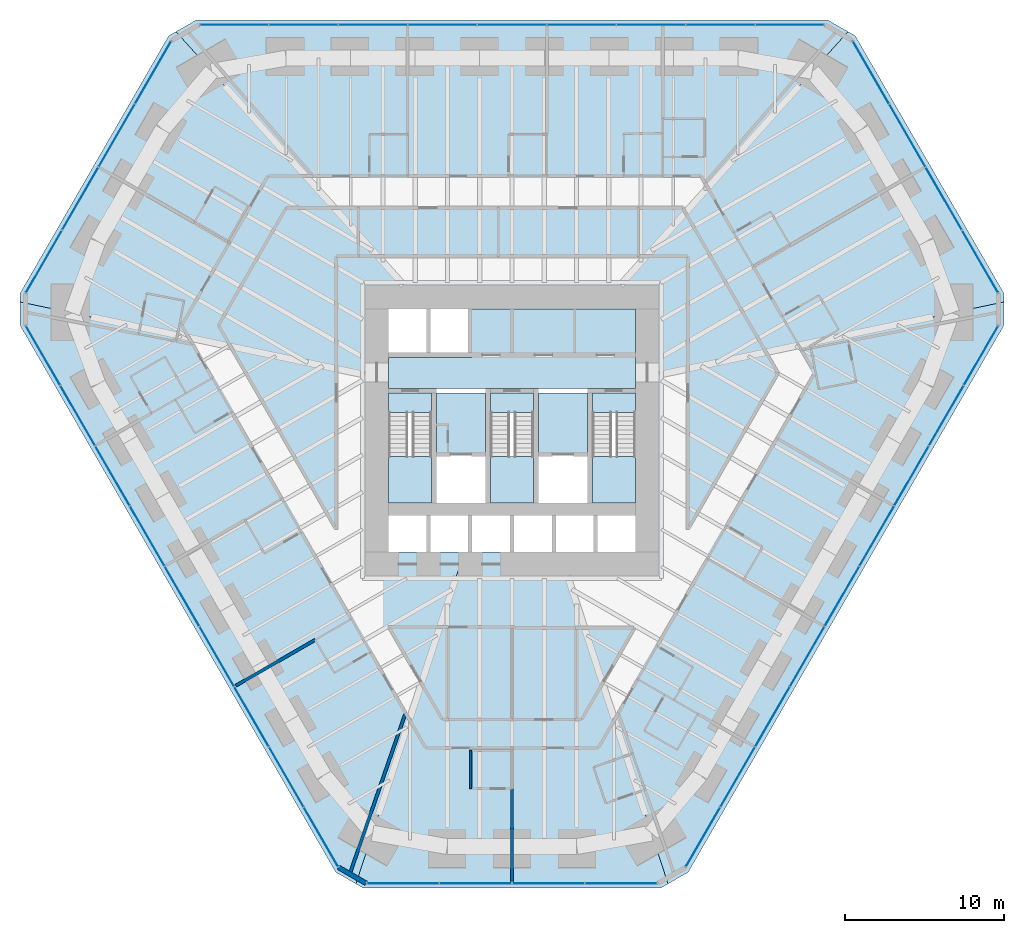
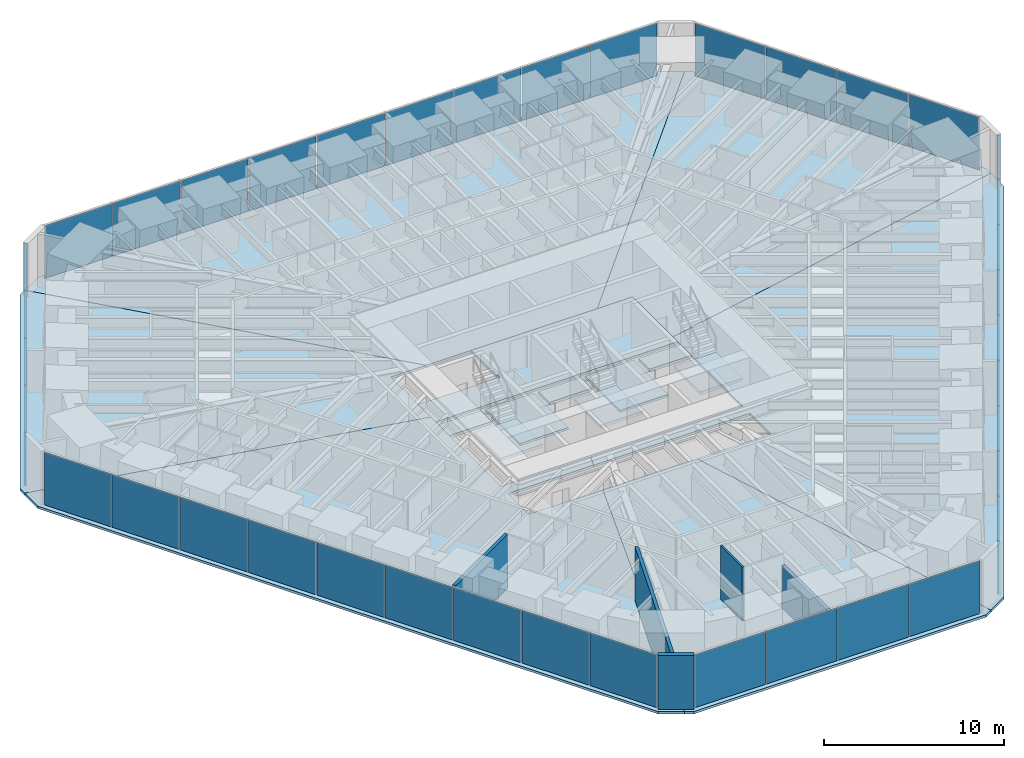
# One storey, part 10 of 17: 39 plates, 15 slabs, 5 walls, 9 elements without a shape of their own.
"""IFC4 building model written with IfcOpenShell, lengths in metres."""

from ifc_helpers import new_model, si_unit, direction, frame, frame_2d, origin, origin_2d, place, context, subcontext, project, spatial, polyline, rectangle, outline, extrude, material, layer, layer_set, type_object, element, aggregate, save


model = new_model("IFC4")

# Units and contexts
model_context = context("Model", 3, precision=1e-05, world=origin(), true_north=direction((0.0, 1.0)))
body_context = subcontext(model_context, "Body", "Model", "MODEL_VIEW")
ifc_project = project(units=[si_unit("LENGTHUNIT", "METRE"), si_unit("AREAUNIT", "SQUARE_METRE"), si_unit("VOLUMEUNIT", "CUBIC_METRE"), si_unit("PLANEANGLEUNIT", "RADIAN"), si_unit("MASSUNIT", "GRAM", prefix="KILO")], contexts=[model_context])

# Site, building, storey
site_placement = place(None, origin())
site = spatial("IfcSite", under=ifc_project, at=site_placement, CompositionType="ELEMENT")
building_placement = place(site_placement, origin())
building = spatial("IfcBuilding", under=site, at=building_placement, Name="Sandreach Pilgrim Tower", CompositionType="ELEMENT")
storey_placement = place(building_placement, frame((0.0, 0.0, 76.199951171875)))
storey = spatial("IfcBuildingStorey", under=building, at=storey_placement, Name="L18", CompositionType="ELEMENT", Elevation=76.199951171875)

# Curtain wall, plates
ifc_material_1 = material(Name="Aluminium framed curtain wall", Category="aluminium")
curtain_wall_type = type_object("IfcCurtainWallType", Name="Hostel tower curtain wall", PredefinedType="NOTDEFINED", material=ifc_material_1)
curtain_wall_1_placement = place(storey_placement, origin())
curtain_wall_1 = element("IfcCurtainWall", 1, at=curtain_wall_1_placement, inside=storey, type_object=curtain_wall_type, Name="CW-1 L18 N", PredefinedType="NOTDEFINED")
ifc_material_2 = material(Name="Insulating glass unit 6 heat-strengthened + 12 argon + 6 heat-strengthened", Category="glass")
ifc_layer_1 = layer(ifc_material_2, 0.02392578125)
ifc_layer_set_1 = layer_set([ifc_layer_1], Name="CW-1 panel")
plate_type = type_object("IfcPlateType", Name="CW-1 panel", PredefinedType="CURTAIN_PANEL", material=ifc_layer_set_1)
plate_1_placement = place(storey_placement, frame((-17.469970703125, 23.94873046875, 0.0), z_axis=(0.0, 0.0, 1.0), x_axis=(1.0, 0.0, 0.0)))
plate_1 = element("IfcPlate", 2, at=plate_1_placement, type_object=plate_type, Name="CW-1 panel 1", PredefinedType="CURTAIN_PANEL", context=body_context, shape_type="SweptSolid", body=[
    extrude(rectangle(XDim=4.274169921875, YDim=0.02392578125, at=origin_2d()), origin(), (0.0, 0.0, 1.0), 3.570068359375),
])
plate_2_placement = place(storey_placement, frame((-13.11474609375, 23.94873046875, 0.0), z_axis=(0.0, 0.0, 1.0), x_axis=(1.0, 0.0, 0.0)))
plate_2 = element("IfcPlate", 3, at=plate_2_placement, type_object=plate_type, Name="CW-1 panel 2", PredefinedType="CURTAIN_PANEL", context=body_context, shape_type="SweptSolid", body=[
    extrude(rectangle(XDim=4.306640625, YDim=0.02392578125, at=origin_2d()), origin(), (0.0, 0.0, 1.0), 3.570068359375),
])
plate_3_placement = place(storey_placement, frame((-8.7431640625, 23.94873046875, 0.0), z_axis=(0.0, 0.0, 1.0), x_axis=(1.0, 0.0, 0.0)))
plate_3 = element("IfcPlate", 4, at=plate_3_placement, type_object=plate_type, Name="CW-1 panel 3", PredefinedType="CURTAIN_PANEL", context=body_context, shape_type="SweptSolid", body=[
    extrude(rectangle(XDim=4.306640625, YDim=0.02392578125, at=origin_2d()), origin(), (0.0, 0.0, 1.0), 3.570068359375),
])
plate_4_placement = place(storey_placement, frame((-4.37158203125, 23.94873046875, 0.0), z_axis=(0.0, 0.0, 1.0), x_axis=(1.0, 0.0, 0.0)))
plate_4 = element("IfcPlate", 5, at=plate_4_placement, type_object=plate_type, Name="CW-1 panel 4", PredefinedType="CURTAIN_PANEL", context=body_context, shape_type="SweptSolid", body=[
    extrude(rectangle(XDim=4.306640625, YDim=0.02392578125, at=origin_2d()), origin(), (0.0, 0.0, 1.0), 3.570068359375),
])
plate_5_placement = place(storey_placement, frame((0.0, 23.94873046875, 0.0), z_axis=(0.0, 0.0, 1.0), x_axis=(1.0, 0.0, 0.0)))
plate_5 = element("IfcPlate", 6, at=plate_5_placement, type_object=plate_type, Name="CW-1 panel 5", PredefinedType="CURTAIN_PANEL", context=body_context, shape_type="SweptSolid", body=[
    extrude(rectangle(XDim=4.306640625, YDim=0.02392578125, at=origin_2d()), origin(), (0.0, 0.0, 1.0), 3.570068359375),
])
plate_6_placement = place(storey_placement, frame((4.37158203125, 23.94873046875, 0.0), z_axis=(0.0, 0.0, 1.0), x_axis=(1.0, 0.0, 0.0)))
plate_6 = element("IfcPlate", 7, at=plate_6_placement, type_object=plate_type, Name="CW-1 panel 6", PredefinedType="CURTAIN_PANEL", context=body_context, shape_type="SweptSolid", body=[
    extrude(rectangle(XDim=4.306640625, YDim=0.02392578125, at=origin_2d()), origin(), (0.0, 0.0, 1.0), 3.570068359375),
])
plate_7_placement = place(storey_placement, frame((8.7431640625, 23.94873046875, 0.0), z_axis=(0.0, 0.0, 1.0), x_axis=(1.0, 0.0, 0.0)))
plate_7 = element("IfcPlate", 8, at=plate_7_placement, type_object=plate_type, Name="CW-1 panel 7", PredefinedType="CURTAIN_PANEL", context=body_context, shape_type="SweptSolid", body=[
    extrude(rectangle(XDim=4.306640625, YDim=0.02392578125, at=origin_2d()), origin(), (0.0, 0.0, 1.0), 3.570068359375),
])
plate_8_placement = place(storey_placement, frame((13.11474609375, 23.94873046875, 0.0), z_axis=(0.0, 0.0, 1.0), x_axis=(1.0, 0.0, 0.0)))
plate_8 = element("IfcPlate", 9, at=plate_8_placement, type_object=plate_type, Name="CW-1 panel 8", PredefinedType="CURTAIN_PANEL", context=body_context, shape_type="SweptSolid", body=[
    extrude(rectangle(XDim=4.306640625, YDim=0.02392578125, at=origin_2d()), origin(), (0.0, 0.0, 1.0), 3.570068359375),
])
plate_9_placement = place(storey_placement, frame((17.469970703125, 23.94873046875, 0.0), z_axis=(0.0, 0.0, 1.0), x_axis=(1.0, 0.0, 0.0)))
plate_9 = element("IfcPlate", 10, at=plate_9_placement, type_object=plate_type, Name="CW-1 panel 9", PredefinedType="CURTAIN_PANEL", context=body_context, shape_type="SweptSolid", body=[
    extrude(rectangle(XDim=4.274169921875, YDim=0.02392578125, at=origin_2d()), origin(), (0.0, 0.0, 1.0), 3.570068359375),
])
aggregate(curtain_wall_1, [plate_1, plate_2, plate_3, plate_4, plate_5, plate_6, plate_7, plate_8, plate_9])

curtain_wall_2_placement = place(storey_placement, origin())
curtain_wall_2 = element("IfcCurtainWall", 11, at=curtain_wall_2_placement, inside=storey, type_object=curtain_wall_type, Name="CW-1 L18 NE", PredefinedType="NOTDEFINED")
plate_10_placement = place(storey_placement, frame((22.558837890625, 20.94873046875, 0.0), z_axis=(0.0, 0.0, 1.0), x_axis=(0.5, -0.866025403784, 0.0)))
plate_10 = element("IfcPlate", 12, at=plate_10_placement, type_object=plate_type, Name="CW-1 panel 1", PredefinedType="CURTAIN_PANEL", context=body_context, shape_type="SweptSolid", body=[
    extrude(rectangle(XDim=4.488525390625, YDim=0.02392578125, at=origin_2d()), origin(), (0.0, 0.0, 1.0), 3.570068359375),
])
plate_11_placement = place(storey_placement, frame((24.84375, 16.9912109375, 0.0), z_axis=(0.0, 0.0, 1.0), x_axis=(0.5, -0.866025403784, 0.0)))
plate_11 = element("IfcPlate", 13, at=plate_11_placement, type_object=plate_type, Name="CW-1 panel 2", PredefinedType="CURTAIN_PANEL", context=body_context, shape_type="SweptSolid", body=[
    extrude(rectangle(XDim=4.52099609375, YDim=0.02392578125, at=origin_2d()), origin(), (0.0, 0.0, 1.0), 3.570068359375),
])
plate_12_placement = place(storey_placement, frame((27.13671875, 13.01953125, 0.0), z_axis=(0.0, 0.0, 1.0), x_axis=(0.5, -0.866025403784, 0.0)))
plate_12 = element("IfcPlate", 14, at=plate_12_placement, type_object=plate_type, Name="CW-1 panel 3", PredefinedType="CURTAIN_PANEL", context=body_context, shape_type="SweptSolid", body=[
    extrude(rectangle(XDim=4.52099609375, YDim=0.02392578125, at=origin_2d()), origin(), (0.0, 0.0, 1.0), 3.570068359375),
])
plate_13_placement = place(storey_placement, frame((29.421630859375, 9.06201171875, 0.0), z_axis=(0.0, 0.0, 1.0), x_axis=(0.5, -0.866025403784, 0.0)))
plate_13 = element("IfcPlate", 15, at=plate_13_placement, type_object=plate_type, Name="CW-1 panel 4", PredefinedType="CURTAIN_PANEL", context=body_context, shape_type="SweptSolid", body=[
    extrude(rectangle(XDim=4.488525390625, YDim=0.02392578125, at=origin_2d()), origin(), (0.0, 0.0, 1.0), 3.570068359375),
])
aggregate(curtain_wall_2, [plate_10, plate_11, plate_12, plate_13])

curtain_wall_3_placement = place(storey_placement, origin())
curtain_wall_3 = element("IfcCurtainWall", 16, at=curtain_wall_3_placement, inside=storey, type_object=curtain_wall_type, Name="CW-1 L18 SE", PredefinedType="NOTDEFINED")
plate_14_placement = place(storey_placement, frame((29.475341796875, 3.1552734375, 0.0), z_axis=(0.0, 0.0, 1.0), x_axis=(-0.5, -0.866025403784, 0.0)))
plate_14 = element("IfcPlate", 17, at=plate_14_placement, type_object=plate_type, Name="CW-1 panel 1", PredefinedType="CURTAIN_PANEL", context=body_context, shape_type="SweptSolid", body=[
    extrude(rectangle(XDim=4.274169921875, YDim=0.02392578125, at=origin_2d()), origin(), (0.0, 0.0, 1.0), 3.570068359375),
])
plate_15_placement = place(storey_placement, frame((27.297607421875, -0.61669921875, 0.0), z_axis=(0.0, 0.0, 1.0), x_axis=(-0.5, -0.866025403784, 0.0)))
plate_15 = element("IfcPlate", 18, at=plate_15_placement, type_object=plate_type, Name="CW-1 panel 2", PredefinedType="CURTAIN_PANEL", context=body_context, shape_type="SweptSolid", body=[
    extrude(rectangle(XDim=4.306640625, YDim=0.02392578125, at=origin_2d()), origin(), (0.0, 0.0, 1.0), 3.570068359375),
])
plate_16_placement = place(storey_placement, frame((25.11181640625, -4.402587890625, 0.0), z_axis=(0.0, 0.0, 1.0), x_axis=(-0.5, -0.866025403784, 0.0)))
plate_16 = element("IfcPlate", 19, at=plate_16_placement, type_object=plate_type, Name="CW-1 panel 3", PredefinedType="CURTAIN_PANEL", context=body_context, shape_type="SweptSolid", body=[
    extrude(rectangle(XDim=4.306640625, YDim=0.02392578125, at=origin_2d()), origin(), (0.0, 0.0, 1.0), 3.570068359375),
])
plate_17_placement = place(storey_placement, frame((22.926025390625, -8.1884765625, 0.0), z_axis=(0.0, 0.0, 1.0), x_axis=(-0.5, -0.866025403784, 0.0)))
plate_17 = element("IfcPlate", 20, at=plate_17_placement, type_object=plate_type, Name="CW-1 panel 4", PredefinedType="CURTAIN_PANEL", context=body_context, shape_type="SweptSolid", body=[
    extrude(rectangle(XDim=4.306640625, YDim=0.02392578125, at=origin_2d()), origin(), (0.0, 0.0, 1.0), 3.570068359375),
])
plate_18_placement = place(storey_placement, frame((20.740234375, -11.974365234375, 0.0), z_axis=(0.0, 0.0, 1.0), x_axis=(-0.5, -0.866025403784, 0.0)))
plate_18 = element("IfcPlate", 21, at=plate_18_placement, type_object=plate_type, Name="CW-1 panel 5", PredefinedType="CURTAIN_PANEL", context=body_context, shape_type="SweptSolid", body=[
    extrude(rectangle(XDim=4.306640625, YDim=0.02392578125, at=origin_2d()), origin(), (0.0, 0.0, 1.0), 3.570068359375),
])
plate_19_placement = place(storey_placement, frame((18.554443359375, -15.76025390625, 0.0), z_axis=(0.0, 0.0, 1.0), x_axis=(-0.5, -0.866025403784, 0.0)))
plate_19 = element("IfcPlate", 22, at=plate_19_placement, type_object=plate_type, Name="CW-1 panel 6", PredefinedType="CURTAIN_PANEL", context=body_context, shape_type="SweptSolid", body=[
    extrude(rectangle(XDim=4.306640625, YDim=0.02392578125, at=origin_2d()), origin(), (0.0, 0.0, 1.0), 3.570068359375),
])
plate_20_placement = place(storey_placement, frame((16.36865234375, -19.546142578125, 0.0), z_axis=(0.0, 0.0, 1.0), x_axis=(-0.5, -0.866025403784, 0.0)))
plate_20 = element("IfcPlate", 23, at=plate_20_placement, type_object=plate_type, Name="CW-1 panel 7", PredefinedType="CURTAIN_PANEL", context=body_context, shape_type="SweptSolid", body=[
    extrude(rectangle(XDim=4.306640625, YDim=0.02392578125, at=origin_2d()), origin(), (0.0, 0.0, 1.0), 3.570068359375),
])
plate_21_placement = place(storey_placement, frame((14.182861328125, -23.33203125, 0.0), z_axis=(0.0, 0.0, 1.0), x_axis=(-0.5, -0.866025403784, 0.0)))
plate_21 = element("IfcPlate", 24, at=plate_21_placement, type_object=plate_type, Name="CW-1 panel 8", PredefinedType="CURTAIN_PANEL", context=body_context, shape_type="SweptSolid", body=[
    extrude(rectangle(XDim=4.306640625, YDim=0.02392578125, at=origin_2d()), origin(), (0.0, 0.0, 1.0), 3.570068359375),
])
plate_22_placement = place(storey_placement, frame((12.005126953125, -27.103759765625, 0.0), z_axis=(0.0, 0.0, 1.0), x_axis=(-0.5, -0.866025403784, 0.0)))
plate_22 = element("IfcPlate", 25, at=plate_22_placement, type_object=plate_type, Name="CW-1 panel 9", PredefinedType="CURTAIN_PANEL", context=body_context, shape_type="SweptSolid", body=[
    extrude(rectangle(XDim=4.274169921875, YDim=0.02392578125, at=origin_2d()), origin(), (0.0, 0.0, 1.0), 3.570068359375),
])
aggregate(curtain_wall_3, [plate_14, plate_15, plate_16, plate_17, plate_18, plate_19, plate_20, plate_21, plate_22])

curtain_wall_4_placement = place(storey_placement, origin())
curtain_wall_4 = element("IfcCurtainWall", 26, at=curtain_wall_4_placement, inside=storey, type_object=curtain_wall_type, Name="CW-1 L18 S", PredefinedType="NOTDEFINED")
plate_23_placement = place(storey_placement, frame((6.86279296875, -30.010986328125, 0.0), z_axis=(0.0, 0.0, 1.0), x_axis=(-1.0, 0.0, 0.0)))
plate_23 = element("IfcPlate", 27, at=plate_23_placement, type_object=plate_type, Name="CW-1 panel 1", PredefinedType="CURTAIN_PANEL", context=body_context, shape_type="SweptSolid", body=[
    extrude(rectangle(XDim=4.488525390625, YDim=0.02392578125, at=origin_2d()), origin(), (0.0, 0.0, 1.0), 3.570068359375),
])
plate_24_placement = place(storey_placement, frame((2.29296875, -30.010986328125, 0.0), z_axis=(0.0, 0.0, 1.0), x_axis=(-1.0, 0.0, 0.0)))
plate_24 = element("IfcPlate", 28, at=plate_24_placement, type_object=plate_type, Name="CW-1 panel 2", PredefinedType="CURTAIN_PANEL", context=body_context, shape_type="SweptSolid", body=[
    extrude(rectangle(XDim=4.52099609375, YDim=0.02392578125, at=origin_2d()), origin(), (0.0, 0.0, 1.0), 3.570068359375),
])
plate_25_placement = place(storey_placement, frame((-2.29296875, -30.010986328125, 0.0), z_axis=(0.0, 0.0, 1.0), x_axis=(-1.0, 0.0, 0.0)))
plate_25 = element("IfcPlate", 29, at=plate_25_placement, type_object=plate_type, Name="CW-1 panel 3", PredefinedType="CURTAIN_PANEL", context=body_context, shape_type="SweptSolid", body=[
    extrude(rectangle(XDim=4.52099609375, YDim=0.02392578125, at=origin_2d()), origin(), (0.0, 0.0, 1.0), 3.570068359375),
])
plate_26_placement = place(storey_placement, frame((-6.86279296875, -30.010986328125, 0.0), z_axis=(0.0, 0.0, 1.0), x_axis=(-1.0, 0.0, 0.0)))
plate_26 = element("IfcPlate", 30, at=plate_26_placement, type_object=plate_type, Name="CW-1 panel 4", PredefinedType="CURTAIN_PANEL", context=body_context, shape_type="SweptSolid", body=[
    extrude(rectangle(XDim=4.488525390625, YDim=0.02392578125, at=origin_2d()), origin(), (0.0, 0.0, 1.0), 3.570068359375),
])
aggregate(curtain_wall_4, [plate_23, plate_24, plate_25, plate_26])

curtain_wall_5_placement = place(storey_placement, origin())
curtain_wall_5 = element("IfcCurtainWall", 31, at=curtain_wall_5_placement, inside=storey, type_object=curtain_wall_type, Name="CW-1 L18 SW", PredefinedType="NOTDEFINED")
plate_27_placement = place(storey_placement, frame((-12.005126953125, -27.103759765625, 0.0), z_axis=(0.0, 0.0, 1.0), x_axis=(-0.5, 0.866025403784, 0.0)))
plate_27 = element("IfcPlate", 32, at=plate_27_placement, type_object=plate_type, Name="CW-1 panel 1", PredefinedType="CURTAIN_PANEL", context=body_context, shape_type="SweptSolid", body=[
    extrude(rectangle(XDim=4.274169921875, YDim=0.02392578125, at=origin_2d()), origin(), (0.0, 0.0, 1.0), 3.570068359375),
])
plate_28_placement = place(storey_placement, frame((-14.182861328125, -23.33203125, 0.0), z_axis=(0.0, 0.0, 1.0), x_axis=(-0.5, 0.866025403784, 0.0)))
plate_28 = element("IfcPlate", 33, at=plate_28_placement, type_object=plate_type, Name="CW-1 panel 2", PredefinedType="CURTAIN_PANEL", context=body_context, shape_type="SweptSolid", body=[
    extrude(rectangle(XDim=4.306640625, YDim=0.02392578125, at=origin_2d()), origin(), (0.0, 0.0, 1.0), 3.570068359375),
])
plate_29_placement = place(storey_placement, frame((-16.36865234375, -19.546142578125, 0.0), z_axis=(0.0, 0.0, 1.0), x_axis=(-0.5, 0.866025403784, 0.0)))
plate_29 = element("IfcPlate", 34, at=plate_29_placement, type_object=plate_type, Name="CW-1 panel 3", PredefinedType="CURTAIN_PANEL", context=body_context, shape_type="SweptSolid", body=[
    extrude(rectangle(XDim=4.306640625, YDim=0.02392578125, at=origin_2d()), origin(), (0.0, 0.0, 1.0), 3.570068359375),
])
plate_30_placement = place(storey_placement, frame((-18.554443359375, -15.76025390625, 0.0), z_axis=(0.0, 0.0, 1.0), x_axis=(-0.5, 0.866025403784, 0.0)))
plate_30 = element("IfcPlate", 35, at=plate_30_placement, type_object=plate_type, Name="CW-1 panel 4", PredefinedType="CURTAIN_PANEL", context=body_context, shape_type="SweptSolid", body=[
    extrude(rectangle(XDim=4.306640625, YDim=0.02392578125, at=origin_2d()), origin(), (0.0, 0.0, 1.0), 3.570068359375),
])
plate_31_placement = place(storey_placement, frame((-20.740234375, -11.974365234375, 0.0), z_axis=(0.0, 0.0, 1.0), x_axis=(-0.5, 0.866025403784, 0.0)))
plate_31 = element("IfcPlate", 36, at=plate_31_placement, type_object=plate_type, Name="CW-1 panel 5", PredefinedType="CURTAIN_PANEL", context=body_context, shape_type="SweptSolid", body=[
    extrude(rectangle(XDim=4.306640625, YDim=0.02392578125, at=origin_2d()), origin(), (0.0, 0.0, 1.0), 3.570068359375),
])
plate_32_placement = place(storey_placement, frame((-22.926025390625, -8.1884765625, 0.0), z_axis=(0.0, 0.0, 1.0), x_axis=(-0.5, 0.866025403784, 0.0)))
plate_32 = element("IfcPlate", 37, at=plate_32_placement, type_object=plate_type, Name="CW-1 panel 6", PredefinedType="CURTAIN_PANEL", context=body_context, shape_type="SweptSolid", body=[
    extrude(rectangle(XDim=4.306640625, YDim=0.02392578125, at=origin_2d()), origin(), (0.0, 0.0, 1.0), 3.570068359375),
])
plate_33_placement = place(storey_placement, frame((-25.11181640625, -4.402587890625, 0.0), z_axis=(0.0, 0.0, 1.0), x_axis=(-0.5, 0.866025403784, 0.0)))
plate_33 = element("IfcPlate", 38, at=plate_33_placement, type_object=plate_type, Name="CW-1 panel 7", PredefinedType="CURTAIN_PANEL", context=body_context, shape_type="SweptSolid", body=[
    extrude(rectangle(XDim=4.306640625, YDim=0.02392578125, at=origin_2d()), origin(), (0.0, 0.0, 1.0), 3.570068359375),
])
plate_34_placement = place(storey_placement, frame((-27.297607421875, -0.61669921875, 0.0), z_axis=(0.0, 0.0, 1.0), x_axis=(-0.5, 0.866025403784, 0.0)))
plate_34 = element("IfcPlate", 39, at=plate_34_placement, type_object=plate_type, Name="CW-1 panel 8", PredefinedType="CURTAIN_PANEL", context=body_context, shape_type="SweptSolid", body=[
    extrude(rectangle(XDim=4.306640625, YDim=0.02392578125, at=origin_2d()), origin(), (0.0, 0.0, 1.0), 3.570068359375),
])
plate_35_placement = place(storey_placement, frame((-29.475341796875, 3.1552734375, 0.0), z_axis=(0.0, 0.0, 1.0), x_axis=(-0.5, 0.866025403784, 0.0)))
plate_35 = element("IfcPlate", 40, at=plate_35_placement, type_object=plate_type, Name="CW-1 panel 9", PredefinedType="CURTAIN_PANEL", context=body_context, shape_type="SweptSolid", body=[
    extrude(rectangle(XDim=4.274169921875, YDim=0.02392578125, at=origin_2d()), origin(), (0.0, 0.0, 1.0), 3.570068359375),
])
aggregate(curtain_wall_5, [plate_27, plate_28, plate_29, plate_30, plate_31, plate_32, plate_33, plate_34, plate_35])

curtain_wall_6_placement = place(storey_placement, origin())
curtain_wall_6 = element("IfcCurtainWall", 41, at=curtain_wall_6_placement, inside=storey, type_object=curtain_wall_type, Name="CW-1 L18 NW", PredefinedType="NOTDEFINED")
plate_36_placement = place(storey_placement, frame((-29.421630859375, 9.06201171875, 0.0), z_axis=(0.0, 0.0, 1.0), x_axis=(0.5, 0.866025403784, 0.0)))
plate_36 = element("IfcPlate", 42, at=plate_36_placement, type_object=plate_type, Name="CW-1 panel 1", PredefinedType="CURTAIN_PANEL", context=body_context, shape_type="SweptSolid", body=[
    extrude(rectangle(XDim=4.488525390625, YDim=0.02392578125, at=origin_2d()), origin(), (0.0, 0.0, 1.0), 3.570068359375),
])
plate_37_placement = place(storey_placement, frame((-27.13671875, 13.01953125, 0.0), z_axis=(0.0, 0.0, 1.0), x_axis=(0.5, 0.866025403784, 0.0)))
plate_37 = element("IfcPlate", 43, at=plate_37_placement, type_object=plate_type, Name="CW-1 panel 2", PredefinedType="CURTAIN_PANEL", context=body_context, shape_type="SweptSolid", body=[
    extrude(rectangle(XDim=4.52099609375, YDim=0.02392578125, at=origin_2d()), origin(), (0.0, 0.0, 1.0), 3.570068359375),
])
plate_38_placement = place(storey_placement, frame((-24.84375, 16.9912109375, 0.0), z_axis=(0.0, 0.0, 1.0), x_axis=(0.5, 0.866025403784, 0.0)))
plate_38 = element("IfcPlate", 44, at=plate_38_placement, type_object=plate_type, Name="CW-1 panel 3", PredefinedType="CURTAIN_PANEL", context=body_context, shape_type="SweptSolid", body=[
    extrude(rectangle(XDim=4.52099609375, YDim=0.02392578125, at=origin_2d()), origin(), (0.0, 0.0, 1.0), 3.570068359375),
])
plate_39_placement = place(storey_placement, frame((-22.558837890625, 20.94873046875, 0.0), z_axis=(0.0, 0.0, 1.0), x_axis=(0.5, 0.866025403784, 0.0)))
plate_39 = element("IfcPlate", 45, at=plate_39_placement, type_object=plate_type, Name="CW-1 panel 4", PredefinedType="CURTAIN_PANEL", context=body_context, shape_type="SweptSolid", body=[
    extrude(rectangle(XDim=4.488525390625, YDim=0.02392578125, at=origin_2d()), origin(), (0.0, 0.0, 1.0), 3.570068359375),
])
aggregate(curtain_wall_6, [plate_36, plate_37, plate_38, plate_39])

# Slabs
ifc_material_3 = material(Name="Concrete 8000 psi", Category="concrete")
ifc_layer_2 = layer(ifc_material_3, 0.159912109375)
ifc_layer_set_2 = layer_set([ifc_layer_2], Name="Composite floor slab 160")
slab_type_1 = type_object("IfcSlabType", Name="Composite floor slab 160", PredefinedType="FLOOR", material=ifc_layer_set_2)
slab_1_placement = place(storey_placement, frame((0.0, 0.0, -0.159912109375)))
element("IfcSlab", 46, at=slab_1_placement, inside=storey, type_object=slab_type_1, Name="Floor slab L18 N sector", PredefinedType="FLOOR", context=body_context, shape_type="SweptSolid", body=[
    extrude(outline(polyline([(-19.84521484375, 24.248779296875), (19.84521484375, 24.248779296875), (21.115478515625, 23.515380859375), (5.477294921875, 6.10009765625), (-5.477294921875, 6.10009765625), (-21.115478515625, 23.515380859375), (-19.84521484375, 24.248779296875)])), origin(), (0.0, 0.0, 1.0), 0.159912109375),
])
slab_2_placement = place(storey_placement, frame((0.0, 0.0, -0.159912109375)))
element("IfcSlab", 47, at=slab_2_placement, inside=storey, type_object=slab_type_1, Name="Floor slab L18 NE sector", PredefinedType="FLOOR", context=body_context, shape_type="SweptSolid", body=[
    extrude(outline(polyline([(21.577392578125, 23.248779296875), (30.922607421875, 7.062255859375), (30.922607421875, 6.52880859375), (7.75, 1.63623046875), (7.75, 6.10009765625), (5.477294921875, 6.10009765625), (21.115478515625, 23.515380859375), (21.577392578125, 23.248779296875)])), origin(), (0.0, 0.0, 1.0), 0.159912109375),
])
slab_3_placement = place(storey_placement, frame((0.0, 0.0, -0.159912109375)))
element("IfcSlab", 48, at=slab_3_placement, inside=storey, type_object=slab_type_1, Name="Floor slab L18 SE sector", PredefinedType="FLOOR", context=body_context, shape_type="SweptSolid", body=[
    extrude(outline(polyline([(11.077392578125, -29.310791015625), (9.80712890625, -30.044189453125), (3.003173828125, -9.199951171875), (7.75, -9.199951171875), (7.75, -6.89990234375), (-2.252197265625, -6.89990234375), (-1.9912109375, -6.10009765625), (7.75, -6.10009765625), (7.75, 1.63623046875), (30.922607421875, 6.52880859375), (30.922607421875, 5.062255859375), (11.077392578125, -29.310791015625)])), origin(), (0.0, 0.0, 1.0), 0.159912109375),
])
slab_4_placement = place(storey_placement, frame((0.0, 0.0, -0.159912109375)))
element("IfcSlab", 49, at=slab_4_placement, inside=storey, type_object=slab_type_1, Name="Floor slab L18 S sector", PredefinedType="FLOOR", context=body_context, shape_type="SweptSolid", body=[
    extrude(outline(polyline([(9.34521484375, -30.310791015625), (-9.34521484375, -30.310791015625), (-9.80712890625, -30.044189453125), (-3.003173828125, -9.199951171875), (3.003173828125, -9.199951171875), (9.80712890625, -30.044189453125), (9.34521484375, -30.310791015625)])), origin(), (0.0, 0.0, 1.0), 0.159912109375),
])
slab_5_placement = place(storey_placement, frame((0.0, 0.0, -0.159912109375)))
element("IfcSlab", 50, at=slab_5_placement, inside=storey, type_object=slab_type_1, Name="Floor slab L18 SW sector", PredefinedType="FLOOR", context=body_context, shape_type="SweptSolid", body=[
    extrude(outline(polyline([(-11.077392578125, -29.310791015625), (-30.922607421875, 5.062255859375), (-30.922607421875, 6.52880859375), (-7.75, 1.63623046875), (-7.75, -6.10009765625), (-1.9912109375, -6.10009765625), (-2.252197265625, -6.89990234375), (-7.75, -6.89990234375), (-7.75, -9.199951171875), (-3.003173828125, -9.199951171875), (-9.80712890625, -30.044189453125), (-11.077392578125, -29.310791015625)])), origin(), (0.0, 0.0, 1.0), 0.159912109375),
])
slab_6_placement = place(storey_placement, frame((0.0, 0.0, -0.159912109375)))
element("IfcSlab", 51, at=slab_6_placement, inside=storey, type_object=slab_type_1, Name="Floor slab L18 NW sector", PredefinedType="FLOOR", context=body_context, shape_type="SweptSolid", body=[
    extrude(outline(polyline([(-30.922607421875, 7.062255859375), (-21.577392578125, 23.248779296875), (-21.115478515625, 23.515380859375), (-5.477294921875, 6.10009765625), (-7.75, 6.10009765625), (-7.75, 1.63623046875), (-30.922607421875, 6.52880859375), (-30.922607421875, 7.062255859375)])), origin(), (0.0, 0.0, 1.0), 0.159912109375),
])
slab_7_placement = place(storey_placement, frame((0.0, 0.0, -0.159912109375)))
element("IfcSlab", 52, at=slab_7_placement, inside=storey, type_object=slab_type_1, Name="Core floor slab and stores L18", PredefinedType="FLOOR", context=body_context, shape_type="SweptSolid", body=[
    extrude(outline(polyline([(-7.75, 3.050048828125), (-5.375, 3.050048828125), (-5.125, 3.050048828125), (-2.5, 3.050048828125), (-2.5, 3.35009765625), (-2.60009765625, 3.35009765625), (-2.60009765625, 6.10009765625), (7.75, 6.10009765625), (7.75, 1.10009765625), (5.050048828125, 1.10009765625), (4.75, 1.10009765625), (1.64990234375, 1.10009765625), (1.35009765625, 1.10009765625), (-1.35009765625, 1.10009765625), (-1.64990234375, 1.10009765625), (-4.75, 1.10009765625), (-5.050048828125, 1.10009765625), (-7.75, 1.10009765625), (-7.75, 3.050048828125)])), origin(), (0.0, 0.0, 1.0), 0.159912109375),
])
slab_8_placement = place(storey_placement, frame((0.0, 0.0, -0.159912109375)))
element("IfcSlab", 53, at=slab_8_placement, inside=storey, type_object=slab_type_1, Name="Core floor slab and stores L18 2", PredefinedType="FLOOR", context=body_context, shape_type="SweptSolid", body=[
    extrude(outline(polyline([(-1.64990234375, -3.050048828125), (-4.75, -3.050048828125), (-4.75, 0.800048828125), (-1.64990234375, 0.800048828125), (-1.64990234375, -3.050048828125)])), origin(), (0.0, 0.0, 1.0), 0.159912109375),
])
slab_9_placement = place(storey_placement, frame((0.0, 0.0, -0.159912109375)))
element("IfcSlab", 54, at=slab_9_placement, inside=storey, type_object=slab_type_1, Name="Core floor slab and stores L18 3", PredefinedType="FLOOR", context=body_context, shape_type="SweptSolid", body=[
    extrude(outline(polyline([(4.75, -3.050048828125), (1.64990234375, -3.050048828125), (1.64990234375, 0.800048828125), (4.75, 0.800048828125), (4.75, -3.050048828125)])), origin(), (0.0, 0.0, 1.0), 0.159912109375),
])

# Stair, slabs
ifc_material_4 = material(Name="Concrete 8000 psi", Category="concrete")
stair_type = type_object("IfcStairType", Name="Core exit stair", PredefinedType="HALF_TURN_STAIR", material=ifc_material_4)
stair_1_placement = place(storey_placement, origin())
stair_1 = element("IfcStair", 55, at=stair_1_placement, inside=storey, type_object=stair_type, Name="Exit stair ST1 L18", PredefinedType="HALF_TURN_STAIR")
ifc_material_5 = material(Name="Concrete 8000 psi", Category="concrete")
ifc_layer_3 = layer(ifc_material_5, 0.199951171875)
ifc_layer_set_3 = layer_set([ifc_layer_3], Name="Core stair landing 200")
slab_type_2 = type_object("IfcSlabType", Name="Core stair landing 200", PredefinedType="LANDING", material=ifc_layer_set_3)
slab_10_placement = place(storey_placement, frame((0.0, 0.0, -0.199951171875)))
slab_10 = element("IfcSlab", 56, at=slab_10_placement, type_object=slab_type_2, Name="ST1 landing 1", PredefinedType="LANDING", context=body_context, shape_type="SweptSolid", body=[
    extrude(outline(polyline([(-7.75, -0.425048828125), (-5.050048828125, -0.425048828125), (-5.050048828125, 0.800048828125), (-7.75, 0.800048828125), (-7.75, -0.425048828125)])), origin(), (0.0, 0.0, 1.0), 0.199951171875),
])
slab_11_placement = place(storey_placement, frame((0.0, 0.0, 1.699951171875)))
slab_11 = element("IfcSlab", 57, at=slab_11_placement, type_object=slab_type_2, Name="ST1 landing 2", PredefinedType="LANDING", context=body_context, shape_type="SweptSolid", body=[
    extrude(outline(polyline([(-7.75, -6.10009765625), (-5.050048828125, -6.10009765625), (-5.050048828125, -3.175048828125), (-7.75, -3.175048828125), (-7.75, -6.10009765625)])), origin(), (0.0, 0.0, 1.0), 0.2001953125),
])
aggregate(stair_1, [slab_10, slab_11])

stair_2_placement = place(storey_placement, origin())
stair_2 = element("IfcStair", 58, at=stair_2_placement, inside=storey, type_object=stair_type, Name="Exit stair ST3 L18", PredefinedType="HALF_TURN_STAIR")
slab_12_placement = place(storey_placement, frame((0.0, 0.0, -0.199951171875)))
slab_12 = element("IfcSlab", 59, at=slab_12_placement, type_object=slab_type_2, Name="ST3 landing 1", PredefinedType="LANDING", context=body_context, shape_type="SweptSolid", body=[
    extrude(outline(polyline([(-1.35009765625, -0.425048828125), (1.35009765625, -0.425048828125), (1.35009765625, 0.800048828125), (-1.35009765625, 0.800048828125), (-1.35009765625, -0.425048828125)])), origin(), (0.0, 0.0, 1.0), 0.199951171875),
])
slab_13_placement = place(storey_placement, frame((0.0, 0.0, 1.699951171875)))
slab_13 = element("IfcSlab", 60, at=slab_13_placement, type_object=slab_type_2, Name="ST3 landing 2", PredefinedType="LANDING", context=body_context, shape_type="SweptSolid", body=[
    extrude(outline(polyline([(-1.35009765625, -6.10009765625), (1.35009765625, -6.10009765625), (1.35009765625, -3.175048828125), (-1.35009765625, -3.175048828125), (-1.35009765625, -6.10009765625)])), origin(), (0.0, 0.0, 1.0), 0.2001953125),
])
aggregate(stair_2, [slab_12, slab_13])

stair_3_placement = place(storey_placement, origin())
stair_3 = element("IfcStair", 61, at=stair_3_placement, inside=storey, type_object=stair_type, Name="Exit stair ST2 L18", PredefinedType="HALF_TURN_STAIR")
slab_14_placement = place(storey_placement, frame((0.0, 0.0, -0.199951171875)))
slab_14 = element("IfcSlab", 62, at=slab_14_placement, type_object=slab_type_2, Name="ST2 landing 1", PredefinedType="LANDING", context=body_context, shape_type="SweptSolid", body=[
    extrude(outline(polyline([(5.050048828125, -0.425048828125), (7.75, -0.425048828125), (7.75, 0.800048828125), (5.050048828125, 0.800048828125), (5.050048828125, -0.425048828125)])), origin(), (0.0, 0.0, 1.0), 0.199951171875),
])
slab_15_placement = place(storey_placement, frame((0.0, 0.0, 1.699951171875)))
slab_15 = element("IfcSlab", 63, at=slab_15_placement, type_object=slab_type_2, Name="ST2 landing 2", PredefinedType="LANDING", context=body_context, shape_type="SweptSolid", body=[
    extrude(outline(polyline([(5.050048828125, -6.10009765625), (7.75, -6.10009765625), (7.75, -3.175048828125), (5.050048828125, -3.175048828125), (5.050048828125, -6.10009765625)])), origin(), (0.0, 0.0, 1.0), 0.2001953125),
])
aggregate(stair_3, [slab_14, slab_15])

# Walls
ifc_material_6 = material(Name="Moisture-resistant gypsum board on steel studs", Category="steel")
ifc_layer_4 = layer(ifc_material_6, 0.1201171875)
ifc_layer_set_4 = layer_set([ifc_layer_4], Name="Bathroom partition 120")
wall_type_1 = type_object("IfcWallType", Name="Bathroom partition 120", PredefinedType="PARTITIONING", material=ifc_layer_set_4)
wall_1_placement = place(storey_placement, frame((-2.60009765625, -21.659912109375, 0.0), z_axis=(0.0, 0.0, 1.0), x_axis=(0.0, -1.0, 0.0)))
element("IfcWall", 64, at=wall_1_placement, inside=storey, type_object=wall_type_1, Name="Bathroom partition L18-062", PredefinedType="PARTITIONING", context=body_context, shape_type="SweptSolid", body=[
    extrude(rectangle(XDim=2.400146484375, YDim=0.1201171875, at=frame_2d((1.2001953125, 0.0))), origin(), (0.0, 0.0, 1.0), 3.64013671875),
])
ifc_material_7 = material(Name="Double steel stud acoustic wall, gypsum board", Category="steel")
ifc_layer_5 = layer(ifc_material_7, 0.199951171875)
ifc_layer_set_5 = layer_set([ifc_layer_5], Name="Party wall 200")
wall_type_2 = type_object("IfcWallType", Name="Party wall 200", PredefinedType="PARTITIONING", material=ifc_layer_set_5)
wall_2_placement = place(storey_placement, frame((-17.356201171875, -17.590087890625, 0.0), z_axis=(0.0, 0.0, 1.0), x_axis=(0.865929957466, 0.500165281445, 0.0)))
element("IfcWall", 65, at=wall_2_placement, inside=storey, type_object=wall_type_2, Name="Party wall L18-029", PredefinedType="PARTITIONING", context=body_context, shape_type="SweptSolid", body=[
    extrude(rectangle(XDim=5.75830078125, YDim=0.199951171875, at=frame_2d((2.879150390625, 0.0))), origin(), (0.0, 0.0, 1.0), 3.64013671875),
])
wall_3_placement = place(storey_placement, frame((-10.2001953125, -29.441650390625, 0.0), z_axis=(0.0, 0.0, 1.0), x_axis=(0.327375786306, 0.944894223996, 0.0)))
element("IfcWall", 66, at=wall_3_placement, inside=storey, type_object=wall_type_2, Name="Party wall L18-044", PredefinedType="PARTITIONING", context=body_context, shape_type="SweptSolid", body=[
    extrude(rectangle(XDim=10.62255859375, YDim=0.199951171875, at=frame_2d((5.311279296875, 0.0))), origin(), (0.0, 0.0, 1.0), 3.64013671875),
])
wall_4_placement = place(storey_placement, frame((0.0, -29.889892578125, 0.0), z_axis=(0.0, 0.0, 1.0), x_axis=(0.0, 1.0, 0.0)))
element("IfcWall", 67, at=wall_4_placement, inside=storey, type_object=wall_type_2, Name="Party wall L18-068", PredefinedType="PARTITIONING", context=body_context, shape_type="SweptSolid", body=[
    extrude(rectangle(XDim=5.829833984375, YDim=0.199951171875, at=frame_2d((2.9150390625, 0.0))), origin(), (0.0, 0.0, 1.0), 2.8603515625),
])
ifc_material_8 = material(Name="Terracotta rainscreen on concrete", Category="masonry")
ifc_layer_6 = layer(ifc_material_8, 0.300048828125)
ifc_layer_set_6 = layer_set([ifc_layer_6], Name="Terracotta chamfer pier")
wall_type_3 = type_object("IfcWallType", Name="Terracotta chamfer pier", PredefinedType="SOLIDWALL", material=ifc_layer_set_6)
wall_5_placement = place(storey_placement, frame((-9.172119140625, -30.010986328125, 0.0), z_axis=(0.0, 0.0, 1.0), x_axis=(-0.866010750942, 0.50002537861, 0.0)))
element("IfcWall", 68, at=wall_5_placement, inside=storey, type_object=wall_type_3, Name="Chamfer pier L18 S", PredefinedType="SOLIDWALL", context=body_context, shape_type="SweptSolid", body=[
    extrude(rectangle(XDim=2.0, YDim=0.300048828125, at=frame_2d((1.0, 0.0))), origin(), (0.0, 0.0, 1.0), 3.64013671875),
])

save(model, "model.ifc")
